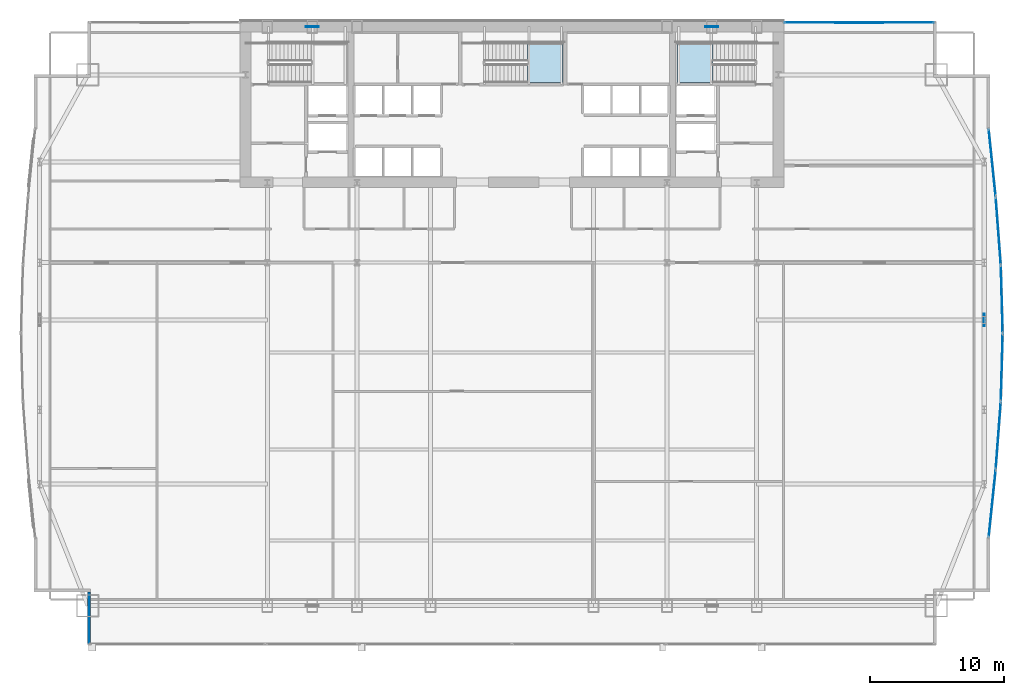
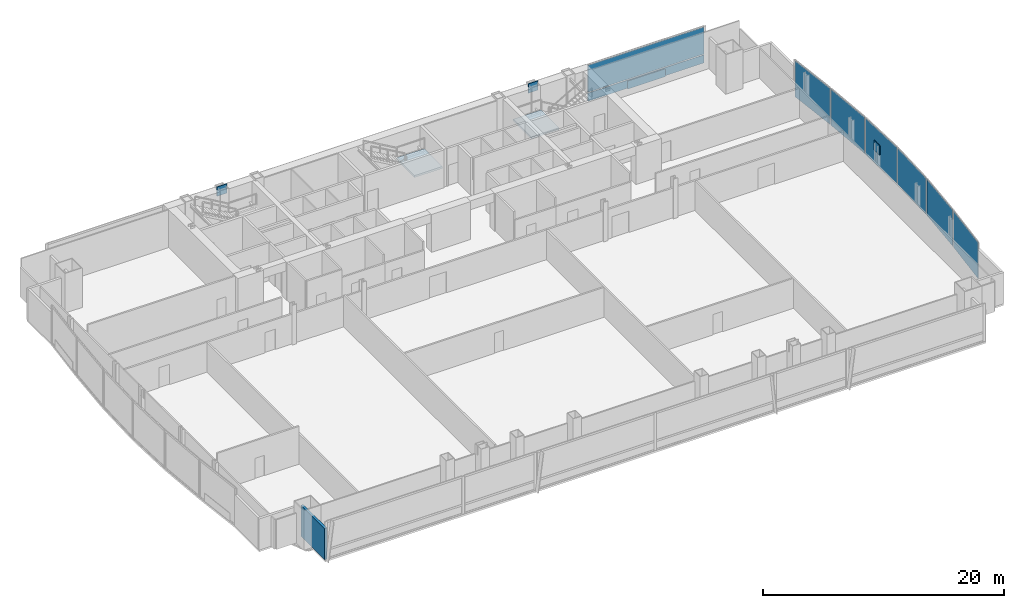
# One storey, part 27 of 33: 12 plates, 2 slabs, 1 wall, 9 elements without a shape of their own.
"""IFC4 building model written with IfcOpenShell, lengths in metres."""

from ifc_helpers import new_model, si_unit, direction, frame, frame_2d, origin, origin_2d, place, context, subcontext, project, spatial, polyline, rectangle, outline, extrude, material, layer, layer_set, type_object, element, aggregate, save


model = new_model("IFC4")

# Units and contexts
model_context = context("Model", 3, precision=1e-05, world=origin(), true_north=direction((0.0, 1.0)))
body_context = subcontext(model_context, "Body", "Model", "MODEL_VIEW")
ifc_project = project(units=[si_unit("LENGTHUNIT", "METRE"), si_unit("AREAUNIT", "SQUARE_METRE"), si_unit("VOLUMEUNIT", "CUBIC_METRE"), si_unit("PLANEANGLEUNIT", "RADIAN"), si_unit("MASSUNIT", "GRAM", prefix="KILO")], contexts=[model_context])

# Site, building, storey
site_placement = place(None, origin())
site = spatial("IfcSite", under=ifc_project, at=site_placement, CompositionType="ELEMENT")
building_placement = place(site_placement, origin())
building = spatial("IfcBuilding", under=site, at=building_placement, Name="Khoronbel Lancet Exchange", CompositionType="ELEMENT")
storey_placement = place(building_placement, frame((0.0, 0.0, 33.800048828125)))
storey = spatial("IfcBuildingStorey", under=building, at=storey_placement, Name="L07", CompositionType="ELEMENT", Elevation=33.800048828125)

# Curtain wall, plate
ifc_material_1 = material(Name="Low-E Solar Control Insulating Glass", Category="glass")
curtain_wall_type_1 = type_object("IfcCurtainWallType", Name="CW-1", PredefinedType="NOTDEFINED", material=ifc_material_1)
curtain_wall_1_placement = place(storey_placement, origin())
curtain_wall_1 = element("IfcCurtainWall", 1, at=curtain_wall_1_placement, inside=storey, type_object=curtain_wall_type_1, Name="Unitised curtain wall CW-L07-NEFLK", PredefinedType="NOTDEFINED")
ifc_material_2 = material(Name="Bronze-Anodised Aluminium 6063-T6", Category="aluminium")
ifc_layer_1 = layer(ifc_material_2, 0.050048828125, Name="Bronze-Anodised Aluminium 6063-T6")
ifc_layer_set_1 = layer_set([ifc_layer_1], Name="Bronze-Anodised Aluminium 6063-T6")
plate_type_1 = type_object("IfcPlateType", Name="PLT-CSP1", PredefinedType="SHEET", material=ifc_layer_set_1)
plate_1_placement = place(storey_placement, frame((62.320068359375, 53.550048828125, 0.0498046875), z_axis=(0.0, 0.0, 1.0), x_axis=(-1.0, 0.0, 0.0)))
plate_1 = element("IfcPlate", 2, at=plate_1_placement, type_object=plate_type_1, Name="Insulated bronze spandrel cassette CW-L07-NEFLK", PredefinedType="SHEET", context=body_context, shape_type="SweptSolid", body=[
    extrude(rectangle(XDim=3.60009765625, YDim=0.050048828125, at=origin_2d()), origin(), (0.0, 0.0, 1.0), 0.800048828125),
])

curtain_wall_type_2 = type_object("IfcCurtainWallType", Name="CW-4", PredefinedType="NOTDEFINED", material=ifc_material_1)
curtain_wall_2_placement = place(storey_placement, origin())
curtain_wall_2 = element("IfcCurtainWall", 3, at=curtain_wall_2_placement, inside=storey, type_object=curtain_wall_type_2, Name="Unitised curtain wall CW-L07-E18", PredefinedType="NOTDEFINED")
plate_2_placement = place(storey_placement, frame((72.67724609375, 38.068603515625, 0.0849609375), z_axis=(0.0, 0.0, 1.0), x_axis=(0.075395030141, -0.997153744129, 0.0)))
plate_2 = element("IfcPlate", 4, at=plate_2_placement, type_object=plate_type_1, Name="CW4 panel 1.1", PredefinedType="CURTAIN_PANEL", context=body_context, shape_type="SweptSolid", body=[
    extrude(rectangle(XDim=4.944580078125, YDim=0.0380859375, at=origin_2d()), origin(), (0.0, 0.0, 1.0), 3.64990234375),
])
aggregate(curtain_wall_2, [plate_2])

curtain_wall_3_placement = place(storey_placement, origin())
curtain_wall_3 = element("IfcCurtainWall", 5, at=curtain_wall_3_placement, inside=storey, type_object=curtain_wall_type_2, Name="Unitised curtain wall CW-L07-E19", PredefinedType="NOTDEFINED")
plate_3_placement = place(storey_placement, frame((72.939697265625, 32.9892578125, 0.0849609375), z_axis=(0.0, 0.0, 1.0), x_axis=(0.027673647157, -0.999617011286, 0.0)))
plate_3 = element("IfcPlate", 6, at=plate_3_placement, type_object=plate_type_1, Name="CW4 panel 1.1", PredefinedType="CURTAIN_PANEL", context=body_context, shape_type="SweptSolid", body=[
    extrude(rectangle(XDim=4.9306640625, YDim=0.0380859375, at=origin_2d()), origin(), (0.0, 0.0, 1.0), 3.64990234375),
])
aggregate(curtain_wall_3, [plate_3])

curtain_wall_4_placement = place(storey_placement, origin())
curtain_wall_4 = element("IfcCurtainWall", 7, at=curtain_wall_4_placement, inside=storey, type_object=curtain_wall_type_2, Name="Unitised curtain wall CW-L07-E20", PredefinedType="NOTDEFINED")
plate_4_placement = place(storey_placement, frame((72.939697265625, 27.91064453125, 0.0849609375), z_axis=(0.0, 0.0, 1.0), x_axis=(-0.027673647157, -0.999617011286, 0.0)))
plate_4 = element("IfcPlate", 8, at=plate_4_placement, type_object=plate_type_1, Name="CW4 panel 1.1", PredefinedType="CURTAIN_PANEL", context=body_context, shape_type="SweptSolid", body=[
    extrude(rectangle(XDim=4.9306640625, YDim=0.0380859375, at=origin_2d()), origin(), (0.0, 0.0, 1.0), 3.64990234375),
])
aggregate(curtain_wall_4, [plate_4])

curtain_wall_5_placement = place(storey_placement, origin())
curtain_wall_5 = element("IfcCurtainWall", 9, at=curtain_wall_5_placement, inside=storey, type_object=curtain_wall_type_2, Name="Unitised curtain wall CW-L07-E21", PredefinedType="NOTDEFINED")
plate_5_placement = place(storey_placement, frame((72.67724609375, 22.831298828125, 0.0849609375), z_axis=(0.0, 0.0, 1.0), x_axis=(-0.075395030141, -0.997153744129, 0.0)))
plate_5 = element("IfcPlate", 10, at=plate_5_placement, type_object=plate_type_1, Name="CW4 panel 1.1", PredefinedType="CURTAIN_PANEL", context=body_context, shape_type="SweptSolid", body=[
    extrude(rectangle(XDim=4.944580078125, YDim=0.0380859375, at=origin_2d()), origin(), (0.0, 0.0, 1.0), 3.64990234375),
])
aggregate(curtain_wall_5, [plate_5])

# Plate
ifc_layer_2 = layer(ifc_material_1, 0.035888671875, Name="Low-E Solar Control Insulating Glass")
ifc_layer_set_2 = layer_set([ifc_layer_2], Name="Low-E Solar Control Insulating Glass")
plate_type_2 = type_object("IfcPlateType", Name="PLT-CWP1", PredefinedType="CURTAIN_PANEL", material=ifc_layer_set_2)
plate_6_placement = place(storey_placement, frame((62.320068359375, 53.610107421875, 0.0849609375), z_axis=(0.0, 0.0, 1.0), x_axis=(-1.0, 0.0, 0.0)))
plate_6 = element("IfcPlate", 11, at=plate_6_placement, type_object=plate_type_2, Name="CW1 panel 1.1", PredefinedType="CURTAIN_PANEL", context=body_context, shape_type="SweptSolid", body=[
    extrude(rectangle(XDim=11.110107421875, YDim=0.0380859375, at=origin_2d()), origin(), (0.0, 0.0, 1.0), 0.822509765625),
])

plate_7_placement = place(storey_placement, frame((62.320068359375, 53.610107421875, 0.99267578125), z_axis=(0.0, 0.0, 1.0), x_axis=(-1.0, 0.0, 0.0)))
plate_7 = element("IfcPlate", 12, at=plate_7_placement, type_object=plate_type_2, Name="CW1 panel 1.2", PredefinedType="CURTAIN_PANEL", context=body_context, shape_type="SweptSolid", body=[
    extrude(rectangle(XDim=11.110107421875, YDim=0.0380859375, at=origin_2d()), origin(), (0.0, 0.0, 1.0), 2.742431640625),
])

aggregate(curtain_wall_1, [plate_6, plate_7, plate_1])

# Curtain wall, plate
curtain_wall_6_placement = place(storey_placement, origin())
curtain_wall_6 = element("IfcCurtainWall", 13, at=curtain_wall_6_placement, inside=storey, type_object=curtain_wall_type_2, Name="Unitised curtain wall CW-L07-E17", PredefinedType="NOTDEFINED")
ifc_material_3 = material(Name="Ceramic-Fritted Laminated Insulating Glass", Category="glass")
ifc_layer_3 = layer(ifc_material_3, 0.0419921875, Name="Ceramic-Fritted Laminated Insulating Glass")
ifc_layer_set_3 = layer_set([ifc_layer_3], Name="Ceramic-Fritted Laminated Insulating Glass")
plate_type_3 = type_object("IfcPlateType", Name="PLT-CWP2", PredefinedType="CURTAIN_PANEL", material=ifc_layer_set_3)
plate_8_placement = place(storey_placement, frame((72.22265625, 43.152099609375, 0.0849609375), z_axis=(0.0, 0.0, 1.0), x_axis=(0.102723015403, -0.994709998998, 0.0)))
plate_8 = element("IfcPlate", 14, at=plate_8_placement, type_object=plate_type_3, Name="CW4 panel 1.1", PredefinedType="CURTAIN_PANEL", context=body_context, shape_type="SweptSolid", body=[
    extrude(rectangle(XDim=4.9638671875, YDim=0.0380859375, at=origin_2d()), origin(), (0.0, 0.0, 1.0), 3.64990234375),
])
aggregate(curtain_wall_6, [plate_8])

curtain_wall_7_placement = place(storey_placement, origin())
curtain_wall_7 = element("IfcCurtainWall", 15, at=curtain_wall_7_placement, inside=storey, type_object=curtain_wall_type_2, Name="Unitised curtain wall CW-L07-E22", PredefinedType="NOTDEFINED")
plate_9_placement = place(storey_placement, frame((72.22265625, 17.748046875, 0.0849609375), z_axis=(0.0, 0.0, 1.0), x_axis=(-0.102723015403, -0.994709998998, 0.0)))
plate_9 = element("IfcPlate", 16, at=plate_9_placement, type_object=plate_type_3, Name="CW4 panel 1.1", PredefinedType="CURTAIN_PANEL", context=body_context, shape_type="SweptSolid", body=[
    extrude(rectangle(XDim=4.9638671875, YDim=0.0380859375, at=origin_2d()), origin(), (0.0, 0.0, 1.0), 3.64990234375),
])
aggregate(curtain_wall_7, [plate_9])

# Plates
ifc_material_4 = material(Name="Steel S460", Category="steel")
ifc_layer_4 = layer(ifc_material_4, 0.06005859375, Name="Steel S460")
ifc_layer_set_4 = layer_set([ifc_layer_4], Name="Steel S460")
plate_type_4 = type_object("IfcPlateType", Name="PLT-ND1", PredefinedType="USERDEFINED", material=ifc_layer_set_4)
for number, where, z_axis, x_axis, name in (
    (17, (21.5625, 53.280029296875, 3.1748046875), (0.0, 0.0, 1.0), (1.0, 0.0, 0.0), "ND1 perimeter brace node gusset T01-N-W"),
    (18, (51.33740234375, 53.280029296875, 3.1748046875), (0.0, 0.0, 1.0), (1.0, 0.0, 0.0), "ND1 perimeter brace node gusset T01-N-E"),
    (19, (71.6298828125, 31.425048828125, 3.1748046875), (0.0, 0.0, 1.0), (0.0, 1.0, 0.0), "ND1 perimeter brace node gusset T01-E-P"),
):
    element("IfcPlate", number, at=place(storey_placement, frame(where, z_axis=z_axis, x_axis=x_axis)), inside=storey, type_object=plate_type_4, Name=name, ObjectType="GUSSET_PLATE", PredefinedType="USERDEFINED", context=body_context, shape_type="SweptSolid", body=[
        extrude(rectangle(XDim=0.949951171875, YDim=0.06005859375, at=origin_2d()), origin(), (0.0, 0.0, 1.0), 0.949951171875),
    ])

# Stair, slab
ifc_material_5 = material(Name="Concrete C40/50", Category="concrete")
stair_type = type_object("IfcStairType", Name="STR-CORE150", PredefinedType="HALF_TURN_STAIR", material=ifc_material_5)
stair_1_placement = place(storey_placement, origin())
stair_1 = element("IfcStair", 20, at=stair_1_placement, inside=storey, type_object=stair_type, Name="L07 Protected Exit Stair ST2", PredefinedType="HALF_TURN_STAIR")
ifc_layer_5 = layer(ifc_material_5, 0.199951171875, Name="Concrete C40/50")
ifc_layer_set_5 = layer_set([ifc_layer_5], Name="Concrete C40/50")
slab_type = type_object("IfcSlabType", Name="SL-LND180", PredefinedType="LANDING", material=ifc_layer_set_5)
slab_1_placement = place(storey_placement, frame((0.0, 0.0, 1.800048828125)))
slab_1 = element("IfcSlab", 21, at=slab_1_placement, type_object=slab_type, Name="ST2 landing 1", PredefinedType="LANDING", context=body_context, shape_type="SweptSolid", body=[
    extrude(outline(polyline([(51.409912109375, 52.10009765625), (48.75, 52.10009765625), (48.75, 49.1201171875), (51.409912109375, 49.1201171875), (51.409912109375, 52.10009765625)])), origin(), (0.0, 0.0, 1.0), 0.199951171875),
])
aggregate(stair_1, [slab_1])

stair_2_placement = place(storey_placement, origin())
stair_2 = element("IfcStair", 22, at=stair_2_placement, inside=storey, type_object=stair_type, Name="L07 Protected Exit Stair ST3", PredefinedType="HALF_TURN_STAIR")
slab_2_placement = place(storey_placement, frame((0.0, 0.0, 1.800048828125)))
slab_2 = element("IfcSlab", 23, at=slab_2_placement, type_object=slab_type, Name="ST3 landing 1", PredefinedType="LANDING", context=body_context, shape_type="SweptSolid", body=[
    extrude(outline(polyline([(37.590087890625, 49.1201171875), (40.25, 49.1201171875), (40.25, 52.10009765625), (37.590087890625, 52.10009765625), (37.590087890625, 49.1201171875)])), origin(), (0.0, 0.0, 1.0), 0.199951171875),
])
aggregate(stair_2, [slab_2])

# Wall
ifc_material_6 = material(Name="Precast concrete C40/50", Category="concrete")
ifc_layer_6 = layer(ifc_material_6, 0.25, Name="Precast concrete C40/50")
ifc_layer_set_6 = layer_set([ifc_layer_6], Name="Precast concrete C40/50")
wall_type = type_object("IfcWallType", Name="WL-EXT250", PredefinedType="SOLIDWALL", material=ifc_layer_set_6)
wall_placement = place(storey_placement, frame((4.93994140625, 7.27001953125, 0.0), z_axis=(0.0, 0.0, 1.0), x_axis=(0.0, 1.0, 0.0)))
element("IfcWall", 24, at=wall_placement, inside=storey, type_object=wall_type, Name="Level L07 notched-corner limestone pier 01", PredefinedType="SOLIDWALL", context=body_context, shape_type="SweptSolid", body=[
    extrude(rectangle(XDim=3.909912109375, YDim=0.219970703125, at=frame_2d((1.955078125, 0.0))), origin(), (0.0, 0.0, 1.0), 3.159912109375),
])

save(model, "model.ifc")
